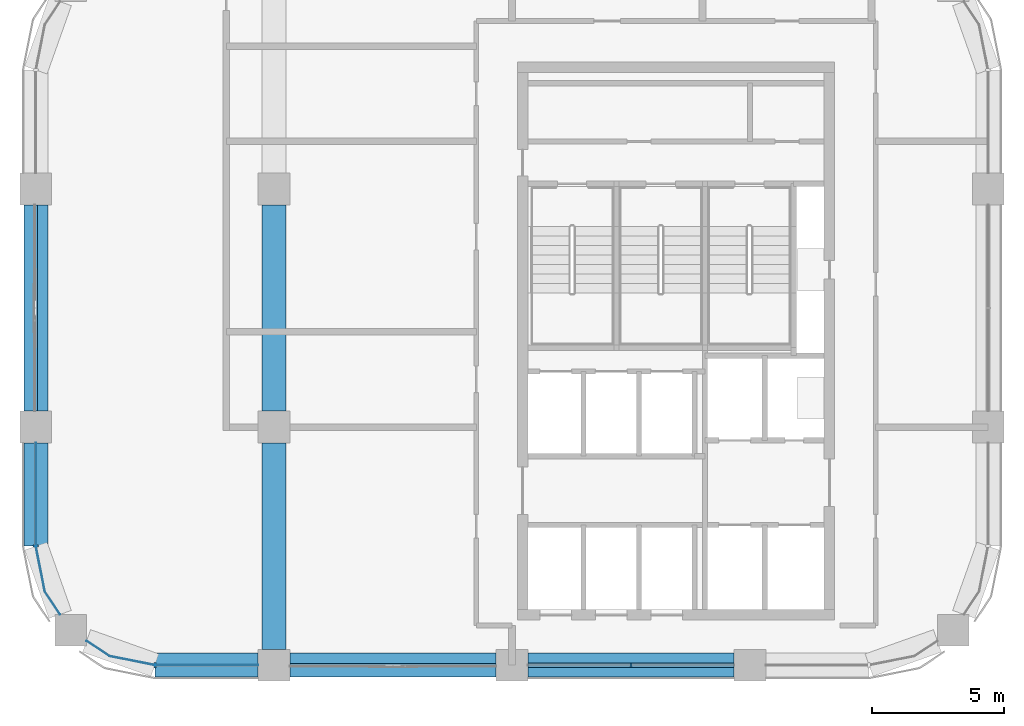
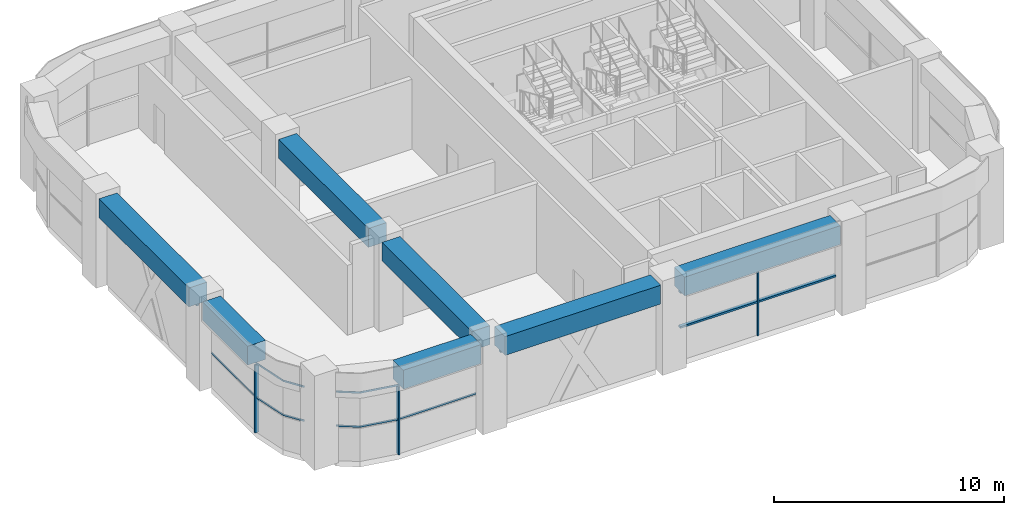
# One storey, part 2 of 15: 11 members, 7 beams, 5 elements without a shape of their own.
"""IFC4 building model written with IfcOpenShell, lengths in metres."""

from ifc_helpers import new_model, si_unit, direction, frame, origin, origin_2d, place, context, subcontext, project, spatial, polyline, rectangle, outline, extrude, material, material_profile, profile_set, type_object, element, aggregate, save


model = new_model("IFC4")

# Units and contexts
model_context = context("Model", 3, precision=1e-05, world=origin(), true_north=direction((0.0, 1.0)))
body_context = subcontext(model_context, "Body", "Model", "MODEL_VIEW")
ifc_project = project(units=[si_unit("LENGTHUNIT", "METRE"), si_unit("AREAUNIT", "SQUARE_METRE"), si_unit("VOLUMEUNIT", "CUBIC_METRE"), si_unit("PLANEANGLEUNIT", "RADIAN"), si_unit("MASSUNIT", "GRAM", prefix="KILO")], contexts=[model_context])

# Site, building, storey
site_placement = place(None, origin())
site = spatial("IfcSite", under=ifc_project, at=site_placement, CompositionType="ELEMENT")
building_placement = place(site_placement, origin())
building = spatial("IfcBuilding", under=site, at=building_placement, Name="Tessera Arch", CompositionType="ELEMENT")
storey_placement = place(building_placement, frame((0.0, 0.0, 285.199951171875)))
storey = spatial("IfcBuildingStorey", under=building, at=storey_placement, Name="L69", CompositionType="ELEMENT", Elevation=285.199951171875)

# Curtain wall, members
ifc_material_1 = material(Name="CW1 curtain wall")
curtain_wall_type_1 = type_object("IfcCurtainWallType", Name="CW1 curtain wall", PredefinedType="NOTDEFINED", material=ifc_material_1)
curtain_wall_1_placement = place(storey_placement, origin())
curtain_wall_1 = element("IfcCurtainWall", 1, at=curtain_wall_1_placement, inside=storey, type_object=curtain_wall_type_1, Name="CW1 curtain wall S27.18/2 L69", PredefinedType="NOTDEFINED")
ifc_material_2 = material(Name="Anodised aluminium pale metal", Category="aluminium")
ifc_material_profile_1 = material_profile(ifc_material_2, rectangle(XDim=0.159912109375, YDim=0.06005859375, at=origin_2d()), Name="AL 60x160")
ifc_profile_set_1 = profile_set([ifc_material_profile_1], Name="Anodised aluminium pale metal")
member_type_1 = type_object("IfcMemberType", Name="CW1 mullion", PredefinedType="MULLION", material=ifc_profile_set_1)
member_1_placement = place(storey_placement, frame((40.5, 27.0, 0.0), z_axis=(0.0, 0.0, 1.0), x_axis=(0.0, 1.0, 0.0)))
member_1 = element("IfcMember", 2, at=member_1_placement, type_object=member_type_1, Name="CW1 mullion S27.18/2 1", PredefinedType="MULLION", context=body_context, shape_type="SweptSolid", body=[
    extrude(rectangle(XDim=0.159912109375, YDim=0.06005859375, at=origin_2d()), origin(), (0.0, 0.0, 1.0), 3.60009765625),
])
ifc_material_3 = material(Name="Anodised aluminium pale metal", Category="aluminium")
ifc_material_profile_2 = material_profile(ifc_material_3, rectangle(XDim=0.159912109375, YDim=0.10009765625, at=origin_2d()), Name="AL 160x100")
ifc_profile_set_2 = profile_set([ifc_material_profile_2], Name="Anodised aluminium pale metal")
member_type_2 = type_object("IfcMemberType", Name="CW1 transom", PredefinedType="USERDEFINED", material=ifc_profile_set_2)
member_2_placement = place(storey_placement, frame((36.60009765625, 27.0, 3.650146484375), z_axis=(1.0, 0.0, 0.0), x_axis=(0.0, 1.0, 0.0)))
member_2 = element("IfcMember", 3, at=member_2_placement, type_object=member_type_2, Name="CW1 transom S27.18/2 1.1", ObjectType="TRANSOM", PredefinedType="USERDEFINED", context=body_context, shape_type="SweptSolid", body=[
    extrude(rectangle(XDim=0.159912109375, YDim=0.10009765625, at=origin_2d()), origin(), (0.0, 0.0, 1.0), 7.7998046875),
])
member_3_placement = place(storey_placement, frame((36.60009765625, 27.0, 1.800048828125), z_axis=(1.0, 0.0, 0.0), x_axis=(0.0, 1.0, 0.0)))
member_3 = element("IfcMember", 4, at=member_3_placement, type_object=member_type_2, Name="CW1 transom S27.18/2 2.1", ObjectType="TRANSOM", PredefinedType="USERDEFINED", context=body_context, shape_type="SweptSolid", body=[
    extrude(rectangle(XDim=0.159912109375, YDim=0.10009765625, at=origin_2d()), origin(), (0.0, 0.0, 1.0), 7.7998046875),
])
aggregate(curtain_wall_1, [member_1, member_2, member_3])

# Curtain wall, member
ifc_material_4 = material(Name="CW2 curtain wall")
curtain_wall_type_2 = type_object("IfcCurtainWallType", Name="CW2 curtain wall", PredefinedType="NOTDEFINED", material=ifc_material_4)
curtain_wall_2_placement = place(storey_placement, origin())
curtain_wall_2 = element("IfcCurtainWall", 5, at=curtain_wall_2_placement, inside=storey, type_object=curtain_wall_type_2, Name="CW2 curtain wall W18.27/2 L69", PredefinedType="NOTDEFINED")
ifc_material_5 = material(Name="Anodised aluminium pale metal", Category="aluminium")
ifc_material_profile_3 = material_profile(ifc_material_5, rectangle(XDim=0.199951171875, YDim=0.080078125, at=origin_2d()), Name="AL 80x200")
ifc_profile_set_3 = profile_set([ifc_material_profile_3], Name="Anodised aluminium pale metal")
member_type_3 = type_object("IfcMemberType", Name="CW2 mullion", PredefinedType="MULLION", material=ifc_profile_set_3)
member_4_placement = place(storey_placement, frame((18.0, 31.5, 0.0), z_axis=(0.0, 0.0, 1.0), x_axis=(1.0, 0.0, 0.0)))
member_4 = element("IfcMember", 6, at=member_4_placement, type_object=member_type_3, Name="CW2 mullion W18.27/2 1", PredefinedType="MULLION", context=body_context, shape_type="SweptSolid", body=[
    extrude(rectangle(XDim=0.199951171875, YDim=0.080078125, at=origin_2d()), origin(), (0.0, 0.0, 1.0), 3.60009765625),
])

curtain_wall_3_placement = place(storey_placement, origin())
curtain_wall_3 = element("IfcCurtainWall", 7, at=curtain_wall_3_placement, inside=storey, type_object=curtain_wall_type_2, Name="CW2 curtain wall S27.18/0 L69", PredefinedType="NOTDEFINED")
member_5_placement = place(storey_placement, frame((22.5, 27.0, 0.0), z_axis=(0.0, 0.0, 1.0), x_axis=(0.0, 1.0, 0.0)))
member_5 = element("IfcMember", 8, at=member_5_placement, type_object=member_type_3, Name="CW2 mullion S27.18/0 1", PredefinedType="MULLION", context=body_context, shape_type="SweptSolid", body=[
    extrude(rectangle(XDim=0.199951171875, YDim=0.080078125, at=origin_2d()), origin(), (0.0, 0.0, 1.0), 3.60009765625),
])

# Member
ifc_material_6 = material(Name="Anodised aluminium pale metal", Category="aluminium")
ifc_material_profile_4 = material_profile(ifc_material_6, rectangle(XDim=0.199951171875, YDim=0.10009765625, at=origin_2d()), Name="AL 200x100")
ifc_profile_set_4 = profile_set([ifc_material_profile_4], Name="Anodised aluminium pale metal")
member_type_4 = type_object("IfcMemberType", Name="CW2 transom", PredefinedType="USERDEFINED", material=ifc_profile_set_4)
member_6_placement = place(storey_placement, frame((0.0, 0.0, 1.800048828125)))
member_6 = element("IfcMember", 9, at=member_6_placement, type_object=member_type_4, Name="CW2 transom W18.27/2 1", ObjectType="TRANSOM", PredefinedType="USERDEFINED", context=body_context, shape_type="SweptSolid", body=[
    extrude(outline(polyline([(18.010009765625, 31.5009765625), (18.010009765625, 35.39990234375), (17.989990234375, 35.39990234375), (17.989990234375, 31.4990234375), (18.3330078125, 29.77392578125), (18.90869140625, 28.912353515625), (18.92529296875, 28.923583984375), (18.351806640625, 29.78173828125), (18.010009765625, 31.5009765625)])), origin(), (0.0, 0.0, 1.0), 0.10009765625),
])

member_7_placement = place(storey_placement, frame((0.0, 0.0, 3.60009765625)))
member_7 = element("IfcMember", 10, at=member_7_placement, type_object=member_type_4, Name="CW2 transom W18.27/2 2", ObjectType="TRANSOM", PredefinedType="USERDEFINED", context=body_context, shape_type="SweptSolid", body=[
    extrude(outline(polyline([(18.010009765625, 31.5009765625), (18.010009765625, 35.39990234375), (17.989990234375, 35.39990234375), (17.989990234375, 31.4990234375), (18.3330078125, 29.77392578125), (18.90869140625, 28.912353515625), (18.92529296875, 28.923583984375), (18.351806640625, 29.78173828125), (18.010009765625, 31.5009765625)])), origin(), (0.0, 0.0, 1.0), 0.099853515625),
])

aggregate(curtain_wall_2, [member_4, member_6, member_7])

member_8_placement = place(storey_placement, frame((0.0, 0.0, 1.800048828125)))
member_8 = element("IfcMember", 11, at=member_8_placement, type_object=member_type_4, Name="CW2 transom S27.18/0 1", ObjectType="TRANSOM", PredefinedType="USERDEFINED", context=body_context, shape_type="SweptSolid", body=[
    extrude(outline(polyline([(20.78173828125, 27.351806640625), (19.923583984375, 27.92529296875), (19.912353515625, 27.90869140625), (20.77392578125, 27.3330078125), (22.4990234375, 26.989990234375), (26.39990234375, 26.989990234375), (26.39990234375, 27.010009765625), (22.5009765625, 27.010009765625), (20.78173828125, 27.351806640625)])), origin(), (0.0, 0.0, 1.0), 0.10009765625),
])

member_9_placement = place(storey_placement, frame((0.0, 0.0, 3.60009765625)))
member_9 = element("IfcMember", 12, at=member_9_placement, type_object=member_type_4, Name="CW2 transom S27.18/0 2", ObjectType="TRANSOM", PredefinedType="USERDEFINED", context=body_context, shape_type="SweptSolid", body=[
    extrude(outline(polyline([(20.78173828125, 27.351806640625), (19.923583984375, 27.92529296875), (19.912353515625, 27.90869140625), (20.77392578125, 27.3330078125), (22.4990234375, 26.989990234375), (26.39990234375, 26.989990234375), (26.39990234375, 27.010009765625), (22.5009765625, 27.010009765625), (20.78173828125, 27.351806640625)])), origin(), (0.0, 0.0, 1.0), 0.099853515625),
])

aggregate(curtain_wall_3, [member_5, member_8, member_9])

# Curtain wall, member
ifc_material_7 = material(Name="CW3 curtain wall")
curtain_wall_type_3 = type_object("IfcCurtainWallType", Name="CW3 curtain wall", PredefinedType="NOTDEFINED", material=ifc_material_7)
curtain_wall_4_placement = place(storey_placement, origin())
curtain_wall_4 = element("IfcCurtainWall", 13, at=curtain_wall_4_placement, inside=storey, type_object=curtain_wall_type_3, Name="CW3 curtain wall W18.27/1 L69", PredefinedType="NOTDEFINED")
ifc_material_8 = material(Name="Anodised aluminium pale metal", Category="aluminium")
ifc_material_profile_5 = material_profile(ifc_material_8, rectangle(XDim=0.139892578125, YDim=0.10009765625, at=origin_2d()), Name="AL 140x100")
ifc_profile_set_5 = profile_set([ifc_material_profile_5], Name="Anodised aluminium pale metal")
member_type_5 = type_object("IfcMemberType", Name="CW3 transom", PredefinedType="USERDEFINED", material=ifc_profile_set_5)
member_10_placement = place(storey_placement, frame((18.0, 44.39990234375, 3.650146484375), z_axis=(0.0, -1.0, 0.0), x_axis=(1.0, 0.0, 0.0)))
member_10 = element("IfcMember", 14, at=member_10_placement, type_object=member_type_5, Name="CW3 transom W18.27/1 1.1", ObjectType="TRANSOM", PredefinedType="USERDEFINED", context=body_context, shape_type="SweptSolid", body=[
    extrude(rectangle(XDim=0.139892578125, YDim=0.10009765625, at=origin_2d()), origin(), (0.0, 0.0, 1.0), 7.7998046875),
])
aggregate(curtain_wall_4, [member_10])

curtain_wall_5_placement = place(storey_placement, origin())
curtain_wall_5 = element("IfcCurtainWall", 15, at=curtain_wall_5_placement, inside=storey, type_object=curtain_wall_type_3, Name="CW3 curtain wall S27.18/1 L69", PredefinedType="NOTDEFINED")
member_11_placement = place(storey_placement, frame((27.60009765625, 27.0, 3.650146484375), z_axis=(1.0, 0.0, 0.0), x_axis=(0.0, 1.0, 0.0)))
member_11 = element("IfcMember", 16, at=member_11_placement, type_object=member_type_5, Name="CW3 transom S27.18/1 1.1", ObjectType="TRANSOM", PredefinedType="USERDEFINED", context=body_context, shape_type="SweptSolid", body=[
    extrude(rectangle(XDim=0.139892578125, YDim=0.10009765625, at=origin_2d()), origin(), (0.0, 0.0, 1.0), 7.7998046875),
])
aggregate(curtain_wall_5, [member_11])

# Beams
ifc_material_9 = material(Name="Concrete C60/75", Category="concrete")
ifc_material_profile_6 = material_profile(ifc_material_9, rectangle(XDim=0.89990234375, YDim=1.0, at=origin_2d()), Name="RC spandrel beam 900 x 1000 Concrete C60/75")
ifc_profile_set_6 = profile_set([ifc_material_profile_6], Name="Concrete C60/75")
beam_type = type_object("IfcBeamType", Name="RC spandrel beam 900 x 1000 Concrete C60/75", PredefinedType="BEAM", material=ifc_profile_set_6)
beam_placement = place(storey_placement, frame((18.0, 44.39990234375, 4.199951171875), z_axis=(0.0, -1.0, 0.0), x_axis=(1.0, 0.0, 0.0)))
element("IfcBeam", 17, at=beam_placement, inside=storey, type_object=beam_type, Name="Spandrel beam L69 W18.27/1", PredefinedType="BEAM", context=body_context, shape_type="SweptSolid", body=[
    extrude(rectangle(XDim=0.89990234375, YDim=1.0, at=origin_2d()), origin(), (0.0, 0.0, 1.0), 7.7998046875),
])
for number, where, z_axis, x_axis, name in (
    (18, (18.0, 35.39990234375, 4.199951171875), (0.0, -1.0, 0.0), (1.0, 0.0, 0.0), "Spandrel beam L69 W18.27/2.1"),
    (19, (22.5, 27.0, 4.199951171875), (1.0, 0.0, 0.0), (0.0, 1.0, 0.0), "Spandrel beam L69 S27.18/0.2"),
):
    element("IfcBeam", number, at=place(storey_placement, frame(where, z_axis=z_axis, x_axis=x_axis)), inside=storey, type_object=beam_type, Name=name, PredefinedType="BEAM", context=body_context, shape_type="SweptSolid", body=[
        extrude(rectangle(XDim=0.89990234375, YDim=1.0, at=origin_2d()), origin(), (0.0, 0.0, 1.0), 3.89990234375),
    ])
for number, where, z_axis, x_axis, name in (
    (20, (27.60009765625, 27.0, 4.199951171875), (1.0, 0.0, 0.0), (0.0, 1.0, 0.0), "Spandrel beam L69 S27.18/1"),
    (21, (36.60009765625, 27.0, 4.199951171875), (1.0, 0.0, 0.0), (0.0, 1.0, 0.0), "Spandrel beam L69 S27.18/2"),
    (22, (27.0, 27.60009765625, 4.199951171875), (0.0, 1.0, 0.0), (-1.0, 0.0, 0.0), "Interface beam L69 I0C4D-C4E"),
    (23, (27.0, 36.60009765625, 4.199951171875), (0.0, 1.0, 0.0), (-1.0, 0.0, 0.0), "Interface beam L69 I0C4E-C4F"),
):
    element("IfcBeam", number, at=place(storey_placement, frame(where, z_axis=z_axis, x_axis=x_axis)), inside=storey, type_object=beam_type, Name=name, PredefinedType="BEAM", context=body_context, shape_type="SweptSolid", body=[
        extrude(rectangle(XDim=0.89990234375, YDim=1.0, at=origin_2d()), origin(), (0.0, 0.0, 1.0), 7.7998046875),
    ])

save(model, "model.ifc")
